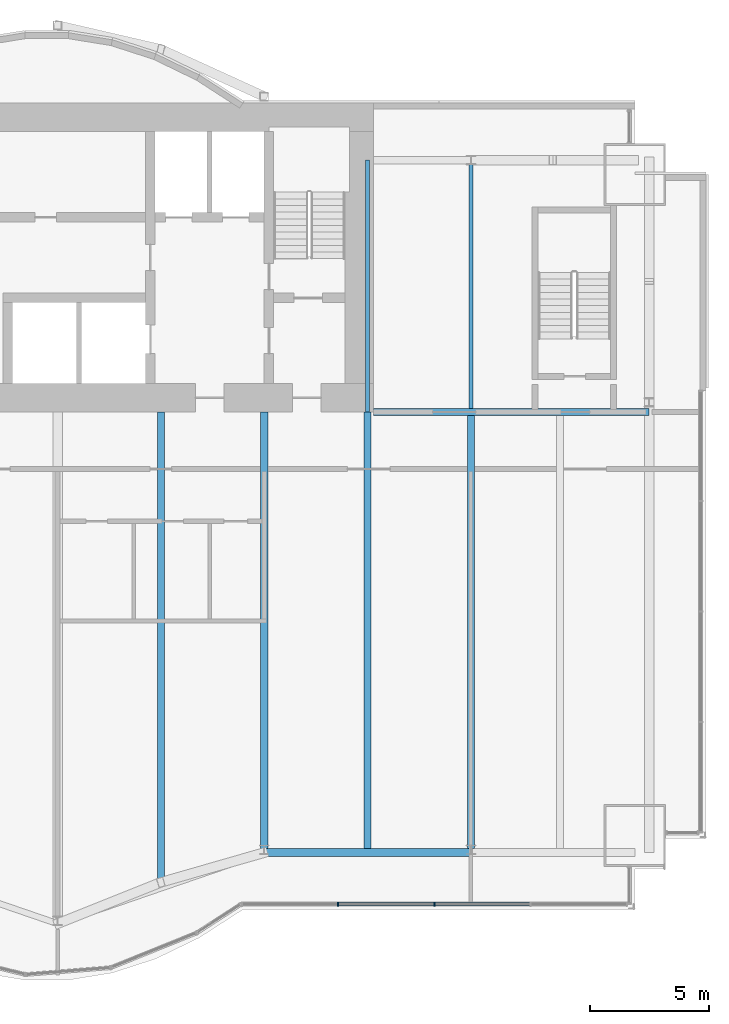
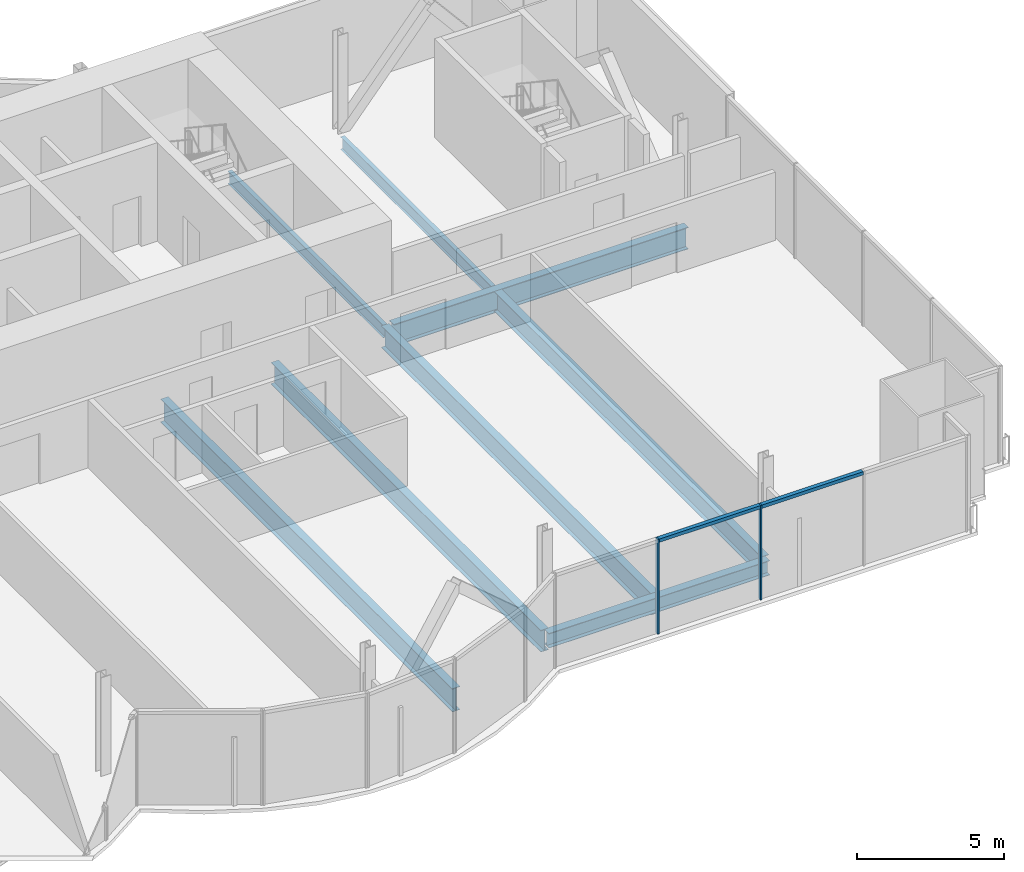
# One storey, part 9 of 20: 8 beams, 4 members, 1 element without a shape of its own.
"""IFC4 building model written with IfcOpenShell, lengths in metres."""

from ifc_helpers import new_model, si_unit, direction, frame, origin, origin_2d, place, context, subcontext, project, spatial, rectangle, i_section, extrude, material, material_profile, profile_set, type_object, element, aggregate, save


model = new_model("IFC4")

# Units and contexts
model_context = context("Model", 3, precision=1e-05, world=origin(), true_north=direction((0.0, 1.0)))
body_context = subcontext(model_context, "Body", "Model", "MODEL_VIEW")
ifc_project = project(units=[si_unit("LENGTHUNIT", "METRE"), si_unit("AREAUNIT", "SQUARE_METRE"), si_unit("VOLUMEUNIT", "CUBIC_METRE"), si_unit("PLANEANGLEUNIT", "RADIAN"), si_unit("MASSUNIT", "GRAM", prefix="KILO")], contexts=[model_context])

# Site, building, storey
site_placement = place(None, origin())
site = spatial("IfcSite", under=ifc_project, at=site_placement, CompositionType="ELEMENT")
building_placement = place(site_placement, origin())
building = spatial("IfcBuilding", under=site, at=building_placement, Name="Bicima Exchange Tower", CompositionType="ELEMENT")
storey_placement = place(building_placement, frame((0.0, 0.0, 177.300048828125)))
storey = spatial("IfcBuildingStorey", under=building, at=storey_placement, Name="L39", CompositionType="ELEMENT", Elevation=177.300048828125)

# Beams
ifc_material_1 = material(Name="Steel ASTM A992 Gr 50", Category="steel")
ifc_material_profile_1 = material_profile(ifc_material_1, i_section(OverallWidth=0.3046875, OverallDepth=0.911865234375, WebThickness=0.015869140625, FlangeThickness=0.02392578125, at=origin_2d()))
ifc_profile_set_1 = profile_set([ifc_material_profile_1], Name="Steel ASTM A992 Gr 50")
beam_type_1 = type_object("IfcBeamType", Name="Core-line girder W36x150", PredefinedType="BEAM", material=ifc_profile_set_1)
beam_1_placement = place(storey_placement, frame((22.0, -13.0, -0.60595703125), z_axis=(1.0, 0.0, 0.0), x_axis=(0.0, 1.0, 0.0)))
element("IfcBeam", 1, at=beam_1_placement, inside=storey, type_object=beam_type_1, Name="Core-line girder", PredefinedType="BEAM", context=body_context, shape_type="SweptSolid", body=[
    extrude(i_section(OverallWidth=0.3046875, OverallDepth=0.911865234375, WebThickness=0.015869140625, FlangeThickness=0.02392578125, at=origin_2d()), origin(), (0.0, 0.0, 1.0), 11.60009765625),
])
ifc_material_profile_2 = material_profile(ifc_material_1, i_section(OverallWidth=0.165771484375, OverallDepth=0.5283203125, WebThickness=0.009765625, FlangeThickness=0.013671875, at=origin_2d()))
ifc_profile_set_2 = profile_set([ifc_material_profile_2], Name="Steel ASTM A992 Gr 50")
beam_type_2 = type_object("IfcBeamType", Name="Floor beam W21x50", PredefinedType="JOIST", material=ifc_profile_set_2)
beam_2_placement = place(storey_placement, frame((21.75, -2.39990234375, -0.414306640625), z_axis=(0.0, -1.0, 0.0), x_axis=(1.0, 0.0, 0.0)))
element("IfcBeam", 2, at=beam_2_placement, inside=storey, type_object=beam_type_2, Name="Floor beam", PredefinedType="JOIST", context=body_context, shape_type="SweptSolid", body=[
    extrude(i_section(OverallWidth=0.165771484375, OverallDepth=0.5283203125, WebThickness=0.009765625, FlangeThickness=0.013671875, at=origin_2d()), origin(), (0.0, 0.0, 1.0), 10.60009765625),
])
beam_3_placement = place(storey_placement, frame((26.10009765625, -2.5625, -0.414306640625), z_axis=(0.0, -1.0, 0.0), x_axis=(1.0, 0.0, 0.0)))
element("IfcBeam", 3, at=beam_3_placement, inside=storey, type_object=beam_type_2, Name="Floor beam", PredefinedType="JOIST", context=body_context, shape_type="SweptSolid", body=[
    extrude(i_section(OverallWidth=0.165771484375, OverallDepth=0.5283203125, WebThickness=0.009765625, FlangeThickness=0.013671875, at=origin_2d()), origin(), (0.0, 0.0, 1.0), 10.28515625),
])
ifc_material_profile_3 = material_profile(ifc_material_1, i_section(OverallWidth=0.2919921875, OverallDepth=0.835693359375, WebThickness=0.013916015625, FlangeThickness=0.018798828125, at=origin_2d()))
ifc_profile_set_3 = profile_set([ifc_material_profile_3], Name="Steel ASTM A992 Gr 50")
beam_type_3 = type_object("IfcBeamType", Name="Floor beam W33x118", PredefinedType="JOIST", material=ifc_profile_set_3)
beam_4_placement = place(storey_placement, frame((26.10009765625, -13.15234375, -0.56787109375), z_axis=(0.0, -1.0, 0.0), x_axis=(1.0, 0.0, 0.0)))
element("IfcBeam", 4, at=beam_4_placement, inside=storey, type_object=beam_type_3, Name="Floor beam", PredefinedType="JOIST", context=body_context, shape_type="SweptSolid", body=[
    extrude(i_section(OverallWidth=0.2919921875, OverallDepth=0.835693359375, WebThickness=0.013916015625, FlangeThickness=0.018798828125, at=origin_2d()), origin(), (0.0, 0.0, 1.0), 18.233154296875),
])
ifc_material_profile_4 = material_profile(ifc_material_1, i_section(OverallWidth=0.3046875, OverallDepth=0.904296875, WebThickness=0.01513671875, FlangeThickness=0.02001953125, at=origin_2d()))
ifc_profile_set_4 = profile_set([ifc_material_profile_4], Name="Steel ASTM A992 Gr 50")
beam_type_4 = type_object("IfcBeamType", Name="Floor beam W36x135", PredefinedType="JOIST", material=ifc_profile_set_4)
beam_5_placement = place(storey_placement, frame((17.39990234375, -13.0, -0.60205078125), z_axis=(0.0, -1.0, 0.0), x_axis=(1.0, 0.0, 0.0)))
element("IfcBeam", 5, at=beam_5_placement, inside=storey, type_object=beam_type_4, Name="Floor beam", PredefinedType="JOIST", context=body_context, shape_type="SweptSolid", body=[
    extrude(i_section(OverallWidth=0.3046875, OverallDepth=0.904296875, WebThickness=0.01513671875, FlangeThickness=0.02001953125, at=origin_2d()), origin(), (0.0, 0.0, 1.0), 18.412353515625),
])
beam_6_placement = place(storey_placement, frame((21.75, -13.0, -0.60205078125), z_axis=(0.0, -1.0, 0.0), x_axis=(1.0, 0.0, 0.0)))
element("IfcBeam", 6, at=beam_6_placement, inside=storey, type_object=beam_type_4, Name="Floor beam", PredefinedType="JOIST", context=body_context, shape_type="SweptSolid", body=[
    extrude(i_section(OverallWidth=0.3046875, OverallDepth=0.904296875, WebThickness=0.01513671875, FlangeThickness=0.02001953125, at=origin_2d()), origin(), (0.0, 0.0, 1.0), 18.385498046875),
])
ifc_material_profile_5 = material_profile(ifc_material_1, i_section(OverallWidth=0.2998046875, OverallDepth=0.97021484375, WebThickness=0.01611328125, FlangeThickness=0.02099609375, at=origin_2d()))
ifc_profile_set_5 = profile_set([ifc_material_profile_5], Name="Steel ASTM A992 Gr 50")
beam_type_5 = type_object("IfcBeamType", Name="Floor beam W40x149", PredefinedType="JOIST", material=ifc_profile_set_5)
beam_7_placement = place(storey_placement, frame((13.050048828125, -13.0, -0.63525390625), z_axis=(0.0, -1.0, 0.0), x_axis=(1.0, 0.0, 0.0)))
element("IfcBeam", 7, at=beam_7_placement, inside=storey, type_object=beam_type_5, Name="Floor beam", PredefinedType="JOIST", context=body_context, shape_type="SweptSolid", body=[
    extrude(i_section(OverallWidth=0.2998046875, OverallDepth=0.97021484375, WebThickness=0.01611328125, FlangeThickness=0.02099609375, at=origin_2d()), origin(), (0.0, 0.0, 1.0), 19.907958984375),
])
ifc_material_profile_6 = material_profile(ifc_material_1, i_section(OverallWidth=0.3251953125, OverallDepth=0.612060546875, WebThickness=0.0126953125, FlangeThickness=0.01904296875, at=origin_2d()))
ifc_profile_set_6 = profile_set([ifc_material_profile_6], Name="Steel ASTM A992 Gr 50")
beam_type_6 = type_object("IfcBeamType", Name="Front girder W24x104", PredefinedType="BEAM", material=ifc_profile_set_6)
beam_8_placement = place(storey_placement, frame((17.39990234375, -31.548095703125, -0.4560546875), z_axis=(1.0, 0.0, 0.0), x_axis=(0.0, 1.0, 0.0)))
element("IfcBeam", 8, at=beam_8_placement, inside=storey, type_object=beam_type_6, Name="Front girder", PredefinedType="BEAM", context=body_context, shape_type="SweptSolid", body=[
    extrude(i_section(OverallWidth=0.3251953125, OverallDepth=0.612060546875, WebThickness=0.0126953125, FlangeThickness=0.01904296875, at=origin_2d()), origin(), (0.0, 0.0, 1.0), 8.7001953125),
])

# Curtain wall, members
ifc_material_2 = material(Name="Anodised bronze aluminium", Category="aluminium")
curtain_wall_type = type_object("IfcCurtainWallType", Name="Front glass wall", PredefinedType="NOTDEFINED", material=ifc_material_2)
curtain_wall_placement = place(storey_placement, origin())
curtain_wall = element("IfcCurtainWall", 9, at=curtain_wall_placement, inside=storey, type_object=curtain_wall_type, Name="Front glass wall L39 run 16", PredefinedType="NOTDEFINED")
ifc_material_profile_7 = material_profile(ifc_material_2, rectangle(XDim=0.159912109375, YDim=0.06005859375, at=origin_2d()))
ifc_profile_set_7 = profile_set([ifc_material_profile_7], Name="Anodised bronze aluminium")
member_type_1 = type_object("IfcMemberType", Name="Front glass wall mullion 60 x 160", PredefinedType="MULLION", material=ifc_profile_set_7)
member_1_placement = place(storey_placement, frame((20.51171875, -33.718017578125, 0.0), z_axis=(0.0, 0.0, 1.0), x_axis=(0.0, 1.0, 0.0)))
member_1 = element("IfcMember", 10, at=member_1_placement, type_object=member_type_1, Name="Front glass wall mullion 2", PredefinedType="MULLION", context=body_context, shape_type="SweptSolid", body=[
    extrude(rectangle(XDim=0.159912109375, YDim=0.06005859375, at=origin_2d()), origin(), (0.0, 0.0, 1.0), 3.949951171875),
])
member_2_placement = place(storey_placement, frame((24.56103515625, -33.718017578125, 0.0), z_axis=(0.0, 0.0, 1.0), x_axis=(0.0, 1.0, 0.0)))
member_2 = element("IfcMember", 11, at=member_2_placement, type_object=member_type_1, Name="Front glass wall mullion 3", PredefinedType="MULLION", context=body_context, shape_type="SweptSolid", body=[
    extrude(rectangle(XDim=0.159912109375, YDim=0.06005859375, at=origin_2d()), origin(), (0.0, 0.0, 1.0), 3.949951171875),
])
ifc_material_profile_8 = material_profile(ifc_material_2, rectangle(XDim=0.159912109375, YDim=0.139892578125, at=origin_2d()))
ifc_profile_set_8 = profile_set([ifc_material_profile_8], Name="Anodised bronze aluminium")
member_type_2 = type_object("IfcMemberType", Name="Front glass wall transom 140 x 160", PredefinedType="USERDEFINED", material=ifc_profile_set_8)
member_3_placement = place(storey_placement, frame((20.54150390625, -33.718017578125, 3.8798828125), z_axis=(1.0, 0.0, 0.0), x_axis=(0.0, 1.0, 0.0)))
member_3 = element("IfcMember", 12, at=member_3_placement, type_object=member_type_2, Name="Front glass wall transom 2.1", ObjectType="TRANSOM", PredefinedType="USERDEFINED", context=body_context, shape_type="SweptSolid", body=[
    extrude(rectangle(XDim=0.159912109375, YDim=0.139892578125, at=origin_2d()), origin(), (0.0, 0.0, 1.0), 3.989501953125),
])
member_4_placement = place(storey_placement, frame((24.591064453125, -33.718017578125, 3.8798828125), z_axis=(1.0, 0.0, 0.0), x_axis=(0.0, 1.0, 0.0)))
member_4 = element("IfcMember", 13, at=member_4_placement, type_object=member_type_2, Name="Front glass wall transom 3.1", ObjectType="TRANSOM", PredefinedType="USERDEFINED", context=body_context, shape_type="SweptSolid", body=[
    extrude(rectangle(XDim=0.159912109375, YDim=0.139892578125, at=origin_2d()), origin(), (0.0, 0.0, 1.0), 3.989501953125),
])
aggregate(curtain_wall, [member_1, member_2, member_3, member_4])

save(model, "model.ifc")
